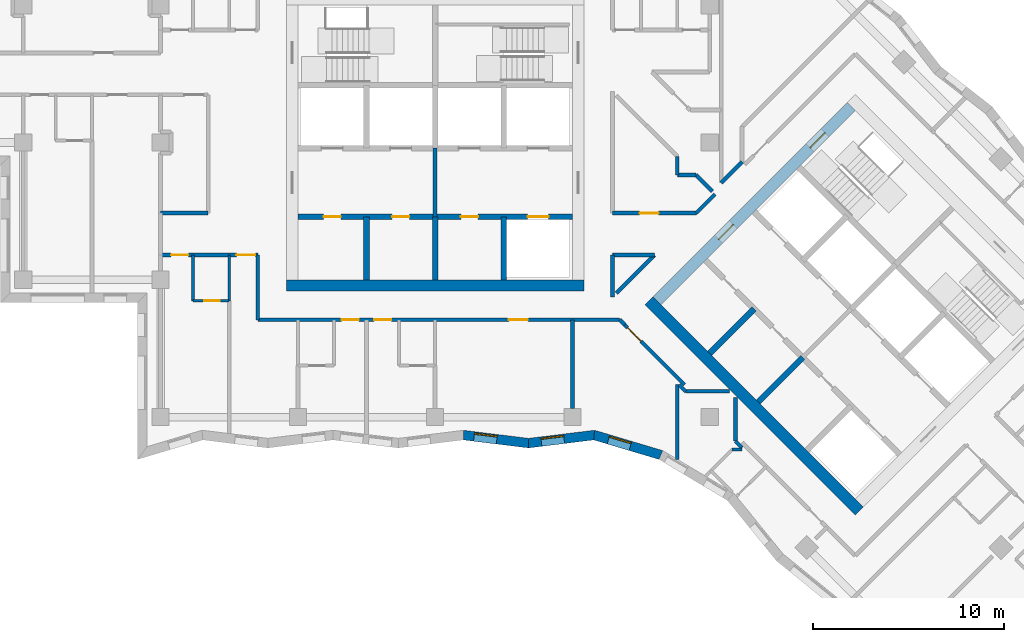
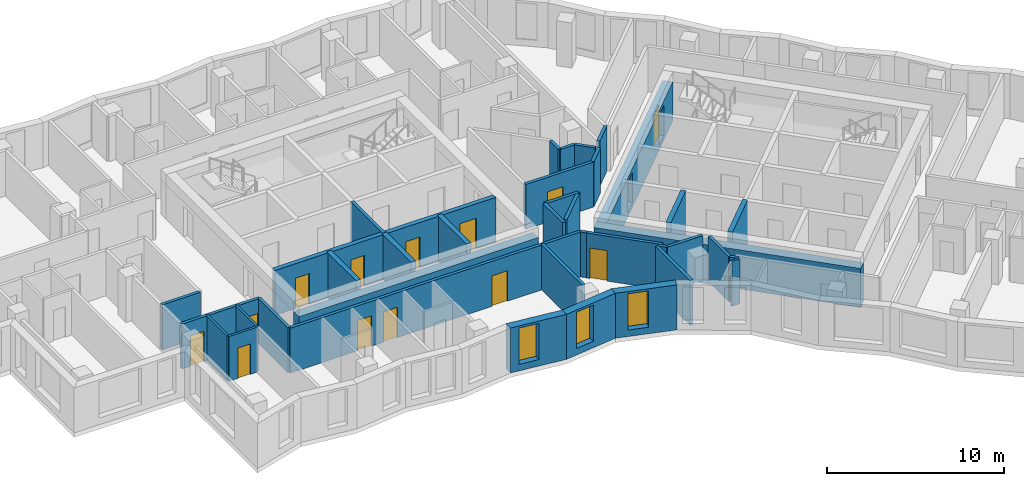
# One storey, part 3 of 12: 38 walls, 14 doors, 3 windows, 17 openings.
"""IFC4 building model written with IfcOpenShell, lengths in metres."""

from ifc_helpers import new_model, si_unit, direction, frame, frame_2d, origin, place, context, subcontext, project, spatial, polyline, rectangle, outline, extrude, material, layer, layer_set, type_object, element, fill, save


model = new_model("IFC4")

# Units and contexts
model_context = context("Model", 3, precision=1e-05, world=origin(), true_north=direction((0.0, 1.0)))
body_context = subcontext(model_context, "Body", "Model", "MODEL_VIEW")
ifc_project = project(units=[si_unit("LENGTHUNIT", "METRE"), si_unit("AREAUNIT", "SQUARE_METRE"), si_unit("VOLUMEUNIT", "CUBIC_METRE"), si_unit("PLANEANGLEUNIT", "RADIAN"), si_unit("MASSUNIT", "GRAM", prefix="KILO")], contexts=[model_context])

# Site, building, storey
site_placement = place(None, origin())
site = spatial("IfcSite", under=ifc_project, at=site_placement, CompositionType="ELEMENT")
building_placement = place(site_placement, origin())
building = spatial("IfcBuilding", under=site, at=building_placement, Name="Windrow Commons", CompositionType="ELEMENT")
storey_placement = place(building_placement, frame((0.0, 0.0, 149.0)))
storey = spatial("IfcBuildingStorey", under=building, at=storey_placement, Name="L40", CompositionType="ELEMENT", Elevation=149.0)

# Wall, opening, window
ifc_material_1 = material(Name="Brick masonry, red clay brick", Category="masonry")
ifc_layer_1 = layer(ifc_material_1, 0.5)
ifc_layer_set_1 = layer_set([ifc_layer_1], Name="Brick facade wall 500")
wall_type_1 = type_object("IfcWallType", Name="Brick facade wall 500", PredefinedType="SOLIDWALL", material=ifc_layer_set_1)
wall_1_placement = place(storey_placement, frame((66.2831, 42.2519, 0.0), z_axis=(0.0, 0.0, 1.0), x_axis=(0.9924935537, -0.1222969578, 0.0)))
wall_1 = element("IfcWall", 1, at=wall_1_placement, inside=storey, type_object=wall_type_1, Name="Brick facade wall L40 47", PredefinedType="SOLIDWALL", context=body_context, shape_type="SweptSolid", body=[
    extrude(outline(polyline([(0.0308, -0.25), (3.4733, -0.25), (3.4117, 0.25), (-0.0308, 0.25), (0.0308, -0.25)])), origin(), (0.0, 0.0, 1.0), 3.1),
])
opening_1_placement = place(wall_1_placement, frame((0.5664, 0.0, 0.45)))
opening_1 = element("IfcOpeningElement", 2, at=opening_1_placement, cuts=wall_1, Name="Opening W7E", PredefinedType="OPENING", context=body_context, shape_type="SweptSolid", body=[
    extrude(rectangle(XDim=1.2, YDim=2.5, at=frame_2d((0.6, 1.25))), frame((0.0, 0.26, 0.0), z_axis=(0.0, -1.0, 0.0), x_axis=(1.0, 0.0, 0.0)), (0.0, 0.0, 1.0), 0.52),
])
ifc_material_2 = material(Name="Clear float glass in anodised aluminium frame", Category="aluminium")
window_type = type_object("IfcWindowType", Name="Window W7 notch 1200x2500", PartitioningType="SINGLE_PANEL", PredefinedType="WINDOW", material=ifc_material_2)
window_1_placement = place(opening_1_placement, origin())
window_1 = element("IfcWindow", 3, at=window_1_placement, inside=storey, type_object=window_type, Name="Window L40 47.1", OverallHeight=2.5, OverallWidth=1.2, PartitioningType="SINGLE_PANEL", PredefinedType="WINDOW", context=body_context, shape_type="SweptSolid", body=[
    extrude(rectangle(XDim=1.2, YDim=2.5, at=frame_2d((0.6, 1.25))), frame((0.0, 0.18, 0.0), z_axis=(0.0, -1.0, 0.0), x_axis=(1.0, 0.0, 0.0)), (0.0, 0.0, 1.0), 0.06),
])
fill(opening_1, window_1)

wall_2_placement = place(storey_placement, frame((69.6997, 41.8309, 0.0), z_axis=(0.0, 0.0, 1.0), x_axis=(0.99249528, 0.1222829472, 0.0)))
wall_2 = element("IfcWall", 4, at=wall_2_placement, inside=storey, type_object=wall_type_1, Name="Brick facade wall L40 48", PredefinedType="SOLIDWALL", context=body_context, shape_type="SweptSolid", body=[
    extrude(outline(polyline([(-0.0308, -0.25), (3.4117, -0.25), (3.5164, 0.25), (0.0308, 0.25), (-0.0308, -0.25)])), origin(), (0.0, 0.0, 1.0), 3.1),
])
opening_2_placement = place(wall_2_placement, frame((0.6742, 0.0, 0.45)))
opening_2 = element("IfcOpeningElement", 5, at=opening_2_placement, cuts=wall_2, Name="Opening W7E", PredefinedType="OPENING", context=body_context, shape_type="SweptSolid", body=[
    extrude(rectangle(XDim=1.2, YDim=2.5, at=frame_2d((0.6, 1.25))), frame((0.0, 0.26, 0.0), z_axis=(0.0, -1.0, 0.0), x_axis=(1.0, 0.0, 0.0)), (0.0, 0.0, 1.0), 0.52),
])
window_2_placement = place(opening_2_placement, origin())
window_2 = element("IfcWindow", 6, at=window_2_placement, inside=storey, type_object=window_type, Name="Window L40 48.1", OverallHeight=2.5, OverallWidth=1.2, PartitioningType="SINGLE_PANEL", PredefinedType="WINDOW", context=body_context, shape_type="SweptSolid", body=[
    extrude(rectangle(XDim=1.2, YDim=2.5, at=frame_2d((0.6, 1.25))), frame((0.0, 0.18, 0.0), z_axis=(0.0, -1.0, 0.0), x_axis=(1.0, 0.0, 0.0)), (0.0, 0.0, 1.0), 0.06),
])
fill(opening_2, window_2)

wall_3_placement = place(storey_placement, frame((73.1378, 42.2545, 0.0), z_axis=(0.0, 0.0, 1.0), x_axis=(0.9581356877, -0.2863145194, 0.0)))
wall_3 = element("IfcWall", 7, at=wall_3_placement, inside=storey, type_object=wall_type_1, Name="Brick facade wall L40 49", PredefinedType="SOLIDWALL", context=body_context, shape_type="SweptSolid", body=[
    extrude(outline(polyline([(0.0524, -0.25), (3.6183, -0.25), (3.6807, 0.25), (-0.0524, 0.25), (0.0524, -0.25)])), origin(), (0.0, 0.0, 1.0), 3.1),
])
opening_3_placement = place(wall_3_placement, frame((0.7849, 0.0, 0.45)))
opening_3 = element("IfcOpeningElement", 8, at=opening_3_placement, cuts=wall_3, Name="Opening W7E", PredefinedType="OPENING", context=body_context, shape_type="SweptSolid", body=[
    extrude(rectangle(XDim=1.2, YDim=2.5, at=frame_2d((0.6, 1.25))), frame((0.0, 0.26, 0.0), z_axis=(0.0, -1.0, 0.0), x_axis=(1.0, 0.0, 0.0)), (0.0, 0.0, 1.0), 0.52),
])
window_3_placement = place(opening_3_placement, origin())
window_3 = element("IfcWindow", 9, at=window_3_placement, inside=storey, type_object=window_type, Name="Window L40 49.1", OverallHeight=2.5, OverallWidth=1.2, PartitioningType="SINGLE_PANEL", PredefinedType="WINDOW", context=body_context, shape_type="SweptSolid", body=[
    extrude(rectangle(XDim=1.2, YDim=2.5, at=frame_2d((0.6, 1.25))), frame((0.0, 0.18, 0.0), z_axis=(0.0, -1.0, 0.0), x_axis=(1.0, 0.0, 0.0)), (0.0, 0.0, 1.0), 0.06),
])
fill(opening_3, window_3)

# Wall
ifc_material_3 = material(Name="Blockwork partition", Category="masonry")
ifc_layer_2 = layer(ifc_material_3, 0.2)
ifc_layer_set_2 = layer_set([ifc_layer_2], Name="Fire lobby partition 200")
wall_type_2 = type_object("IfcWallType", Name="Fire lobby partition 200", PredefinedType="PARTITIONING", material=ifc_layer_set_2)
wall_4_placement = place(storey_placement, frame((64.8, 53.7, 0.0), z_axis=(0.0, 0.0, 1.0), x_axis=(0.0, 1.0, 0.0)))
element("IfcWall", 10, at=wall_4_placement, inside=storey, type_object=wall_type_2, Name="W-core-lobby-A-L40", PredefinedType="PARTITIONING", context=body_context, shape_type="SweptSolid", body=[
    extrude(rectangle(XDim=3.6, YDim=0.2, at=frame_2d((1.8, 0.0))), origin(), (0.0, 0.0, 1.0), 3.1),
])

# Wall, openings, doors
ifc_material_4 = material(Name="Blockwork partition", Category="masonry")
ifc_layer_3 = layer(ifc_material_4, 0.2)
ifc_layer_set_3 = layer_set([ifc_layer_3], Name="IW-CORRIDOR-200")
wall_type_3 = type_object("IfcWallType", Name="IW-CORRIDOR-200", PredefinedType="PARTITIONING", material=ifc_layer_set_3)
wall_5_placement = place(storey_placement, frame((55.5, 48.3, 0.0), z_axis=(0.0, 0.0, 1.0), x_axis=(1.0, 0.0, 0.0)))
wall_5 = element("IfcWall", 11, at=wall_5_placement, inside=storey, type_object=wall_type_3, Name="W-L40-W001", PredefinedType="PARTITIONING", context=body_context, shape_type="SweptSolid", body=[
    extrude(rectangle(XDim=18.974, YDim=0.2, at=frame_2d((9.487, 0.0))), origin(), (0.0, 0.0, 1.0), 3.1),
])
opening_4_placement = place(wall_5_placement, frame((4.4, 0.0, 0.0)))
opening_4 = element("IfcOpeningElement", 12, at=opening_4_placement, cuts=wall_5, Name="Opening D109S", PredefinedType="OPENING", context=body_context, shape_type="SweptSolid", body=[
    extrude(rectangle(XDim=0.9, YDim=2.1, at=frame_2d((0.45, 1.05))), frame((0.0, 0.11, 0.0), z_axis=(0.0, -1.0, 0.0), x_axis=(1.0, 0.0, 0.0)), (0.0, 0.0, 1.0), 0.22),
])
opening_5_placement = place(wall_5_placement, frame((6.1, 0.0, 0.0)))
opening_5 = element("IfcOpeningElement", 13, at=opening_5_placement, cuts=wall_5, Name="Opening D109S", PredefinedType="OPENING", context=body_context, shape_type="SweptSolid", body=[
    extrude(rectangle(XDim=0.9, YDim=2.1, at=frame_2d((0.45, 1.05))), frame((0.0, 0.11, 0.0), z_axis=(0.0, -1.0, 0.0), x_axis=(1.0, 0.0, 0.0)), (0.0, 0.0, 1.0), 0.22),
])
opening_6_placement = place(wall_5_placement, frame((13.1625, 0.0, 0.0)))
opening_6 = element("IfcOpeningElement", 14, at=opening_6_placement, cuts=wall_5, Name="Opening D310F", PredefinedType="OPENING", context=body_context, shape_type="SweptSolid", body=[
    extrude(rectangle(XDim=1.0, YDim=2.1, at=frame_2d((0.5, 1.05))), frame((0.0, 0.11, 0.0), z_axis=(0.0, -1.0, 0.0), x_axis=(1.0, 0.0, 0.0)), (0.0, 0.0, 1.0), 0.22),
])
ifc_material_5 = material(Name="Timber door leaf", Category="wood")
door_type_1 = type_object("IfcDoorType", Name="DT-AMENITY-1000", OperationType="SINGLE_SWING_LEFT", PredefinedType="DOOR", material=ifc_material_5)
door_1_placement = place(opening_6_placement, origin())
door_1 = element("IfcDoor", 15, at=door_1_placement, inside=storey, type_object=door_type_1, Name="D-L40-D037", OperationType="SINGLE_SWING_LEFT", OverallHeight=2.1, OverallWidth=1.0, PredefinedType="DOOR", context=body_context, shape_type="SweptSolid", body=[
    extrude(rectangle(XDim=1.0, YDim=2.1, at=frame_2d((0.5, 1.05))), frame((0.0, 0.025, 0.0), z_axis=(0.0, -1.0, 0.0), x_axis=(1.0, 0.0, 0.0)), (0.0, 0.0, 1.0), 0.05),
])
fill(opening_6, door_1)
ifc_material_6 = material(Name="Timber door leaf", Category="wood")
door_type_2 = type_object("IfcDoorType", Name="DT-BEDROOM-900", OperationType="SINGLE_SWING_LEFT", PredefinedType="DOOR", material=ifc_material_6)
door_2_placement = place(opening_4_placement, origin())
door_2 = element("IfcDoor", 16, at=door_2_placement, inside=storey, type_object=door_type_2, Name="D-L40-D033", OperationType="SINGLE_SWING_LEFT", OverallHeight=2.1, OverallWidth=0.9, PredefinedType="DOOR", context=body_context, shape_type="SweptSolid", body=[
    extrude(rectangle(XDim=0.9, YDim=2.1, at=frame_2d((0.45, 1.05))), frame((0.0, 0.025, 0.0), z_axis=(0.0, -1.0, 0.0), x_axis=(1.0, 0.0, 0.0)), (0.0, 0.0, 1.0), 0.05),
])
fill(opening_4, door_2)
door_3_placement = place(opening_5_placement, origin())
door_3 = element("IfcDoor", 17, at=door_3_placement, inside=storey, type_object=door_type_2, Name="D-L40-D035", OperationType="SINGLE_SWING_RIGHT", OverallHeight=2.1, OverallWidth=0.9, PredefinedType="DOOR", context=body_context, shape_type="SweptSolid", body=[
    extrude(rectangle(XDim=0.9, YDim=2.1, at=frame_2d((0.45, 1.05))), frame((0.0, 0.025, 0.0), z_axis=(0.0, -1.0, 0.0), x_axis=(1.0, 0.0, 0.0)), (0.0, 0.0, 1.0), 0.05),
])
fill(opening_5, door_3)

wall_6_placement = place(storey_placement, frame((50.4, 51.7, 0.0), z_axis=(0.0, 0.0, 1.0), x_axis=(1.0, 0.0, 0.0)))
wall_6 = element("IfcWall", 18, at=wall_6_placement, inside=storey, type_object=wall_type_3, Name="W-L40-W036", PredefinedType="PARTITIONING", context=body_context, shape_type="SweptSolid", body=[
    extrude(rectangle(XDim=5.1, YDim=0.2, at=frame_2d((2.55, 0.0))), origin(), (0.0, 0.0, 1.0), 3.1),
])
opening_7_placement = place(wall_6_placement, frame((0.5517, 0.0, 0.0)))
opening_7 = element("IfcOpeningElement", 19, at=opening_7_placement, cuts=wall_6, Name="Opening D109S", PredefinedType="OPENING", context=body_context, shape_type="SweptSolid", body=[
    extrude(rectangle(XDim=0.9, YDim=2.1, at=frame_2d((0.45, 1.05))), frame((0.0, 0.11, 0.0), z_axis=(0.0, -1.0, 0.0), x_axis=(1.0, 0.0, 0.0)), (0.0, 0.0, 1.0), 0.22),
])
opening_8_placement = place(wall_6_placement, frame((3.976, 0.0, 0.0)))
opening_8 = element("IfcOpeningElement", 20, at=opening_8_placement, cuts=wall_6, Name="Opening D310F", PredefinedType="OPENING", context=body_context, shape_type="SweptSolid", body=[
    extrude(rectangle(XDim=1.0, YDim=2.1, at=frame_2d((0.5, 1.05))), frame((0.0, 0.11, 0.0), z_axis=(0.0, -1.0, 0.0), x_axis=(1.0, 0.0, 0.0)), (0.0, 0.0, 1.0), 0.22),
])
door_4_placement = place(opening_8_placement, origin())
door_4 = element("IfcDoor", 21, at=door_4_placement, inside=storey, type_object=door_type_1, Name="D-L40-D032", OperationType="SINGLE_SWING_RIGHT", OverallHeight=2.1, OverallWidth=1.0, PredefinedType="DOOR", context=body_context, shape_type="SweptSolid", body=[
    extrude(rectangle(XDim=1.0, YDim=2.1, at=frame_2d((0.5, 1.05))), frame((0.0, 0.025, 0.0), z_axis=(0.0, -1.0, 0.0), x_axis=(1.0, 0.0, 0.0)), (0.0, 0.0, 1.0), 0.05),
])
fill(opening_8, door_4)
door_5_placement = place(opening_7_placement, origin())
door_5 = element("IfcDoor", 22, at=door_5_placement, inside=storey, type_object=door_type_2, Name="D-L40-D030", OperationType="SINGLE_SWING_LEFT", OverallHeight=2.1, OverallWidth=0.9, PredefinedType="DOOR", context=body_context, shape_type="SweptSolid", body=[
    extrude(rectangle(XDim=0.9, YDim=2.1, at=frame_2d((0.45, 1.05))), frame((0.0, 0.025, 0.0), z_axis=(0.0, -1.0, 0.0), x_axis=(1.0, 0.0, 0.0)), (0.0, 0.0, 1.0), 0.05),
])
fill(opening_7, door_5)

# Wall, opening, door
wall_7_placement = place(storey_placement, frame((74.7447, 48.0287, 0.0), z_axis=(0.0, 0.0, 1.0), x_axis=(0.7068806156, -0.7073328745, 0.0)))
wall_7 = element("IfcWall", 23, at=wall_7_placement, inside=storey, type_object=wall_type_3, Name="W-L40-W042", PredefinedType="PARTITIONING", context=body_context, shape_type="SweptSolid", body=[
    extrude(rectangle(XDim=4.4222, YDim=0.2, at=frame_2d((2.2111, 0.0))), origin(), (0.0, 0.0, 1.0), 3.1),
])
opening_9_placement = place(wall_7_placement, frame((0.1993, 0.0, 0.0)))
opening_9 = element("IfcOpeningElement", 24, at=opening_9_placement, cuts=wall_7, Name="Opening D310F", PredefinedType="OPENING", context=body_context, shape_type="SweptSolid", body=[
    extrude(rectangle(XDim=1.0, YDim=2.1, at=frame_2d((0.5, 1.05))), frame((0.0, 0.11, 0.0), z_axis=(0.0, -1.0, 0.0), x_axis=(1.0, 0.0, 0.0)), (0.0, 0.0, 1.0), 0.22),
])
door_6_placement = place(opening_9_placement, origin())
door_6 = element("IfcDoor", 25, at=door_6_placement, inside=storey, type_object=door_type_1, Name="D-L40-D038", OperationType="SINGLE_SWING_LEFT", OverallHeight=2.1, OverallWidth=1.0, PredefinedType="DOOR", context=body_context, shape_type="SweptSolid", body=[
    extrude(rectangle(XDim=1.0, YDim=2.1, at=frame_2d((0.5, 1.05))), frame((0.0, 0.025, 0.0), z_axis=(0.0, -1.0, 0.0), x_axis=(1.0, 0.0, 0.0)), (0.0, 0.0, 1.0), 0.05),
])
fill(opening_9, door_6)

wall_8_placement = place(storey_placement, frame((74.102, 53.9, 0.0), z_axis=(0.0, 0.0, 1.0), x_axis=(1.0, 0.0, 0.0)))
wall_8 = element("IfcWall", 26, at=wall_8_placement, inside=storey, type_object=wall_type_3, Name="W-L40-W043", PredefinedType="PARTITIONING", context=body_context, shape_type="SweptSolid", body=[
    extrude(rectangle(XDim=4.392, YDim=0.2, at=frame_2d((2.196, 0.0))), origin(), (0.0, 0.0, 1.0), 3.1),
])
opening_10_placement = place(wall_8_placement, frame((1.4153, 0.0, 0.0)))
opening_10 = element("IfcOpeningElement", 27, at=opening_10_placement, cuts=wall_8, Name="Opening D310F", PredefinedType="OPENING", context=body_context, shape_type="SweptSolid", body=[
    extrude(rectangle(XDim=1.0, YDim=2.1, at=frame_2d((0.5, 1.05))), frame((0.0, 0.11, 0.0), z_axis=(0.0, -1.0, 0.0), x_axis=(1.0, 0.0, 0.0)), (0.0, 0.0, 1.0), 0.22),
])
door_7_placement = place(opening_10_placement, origin())
door_7 = element("IfcDoor", 28, at=door_7_placement, inside=storey, type_object=door_type_1, Name="D-L40-D000", OperationType="SINGLE_SWING_LEFT", OverallHeight=2.1, OverallWidth=1.0, PredefinedType="DOOR", context=body_context, shape_type="SweptSolid", body=[
    extrude(rectangle(XDim=1.0, YDim=2.1, at=frame_2d((0.5, 1.05))), frame((0.0, 0.025, 0.0), z_axis=(0.0, -1.0, 0.0), x_axis=(1.0, 0.0, 0.0)), (0.0, 0.0, 1.0), 0.05),
])
fill(opening_10, door_7)

# Walls
wall_9_placement = place(storey_placement, frame((55.5, 48.3, 0.0), z_axis=(0.0, 0.0, 1.0), x_axis=(0.0, 1.0, 0.0)))
element("IfcWall", 29, at=wall_9_placement, inside=storey, type_object=wall_type_3, Name="W-L40-W049", PredefinedType="PARTITIONING", context=body_context, shape_type="SweptSolid", body=[
    extrude(rectangle(XDim=3.4, YDim=0.2, at=frame_2d((1.7, 0.0))), origin(), (0.0, 0.0, 1.0), 3.1),
])
wall_10_placement = place(storey_placement, frame((74.3024, 49.7036, 0.0), z_axis=(0.0, 0.0, 1.0), x_axis=(0.7074614873, 0.706751897, 0.0)))
element("IfcWall", 30, at=wall_10_placement, inside=storey, type_object=wall_type_3, Name="W-L40-W060", PredefinedType="PARTITIONING", context=body_context, shape_type="SweptSolid", body=[
    extrude(rectangle(XDim=2.8185, YDim=0.2, at=frame_2d((1.4092, 0.0))), origin(), (0.0, 0.0, 1.0), 3.1),
])
wall_11_placement = place(storey_placement, frame((50.4, 53.9, 0.0), z_axis=(0.0, 0.0, 1.0), x_axis=(1.0, 0.0, 0.0)))
element("IfcWall", 31, at=wall_11_placement, inside=storey, type_object=wall_type_3, Name="W-L40-W063", PredefinedType="PARTITIONING", context=body_context, shape_type="SweptSolid", body=[
    extrude(rectangle(XDim=2.5, YDim=0.2, at=frame_2d((1.25, 0.0))), origin(), (0.0, 0.0, 1.0), 3.1),
])
for number, where, z_axis, x_axis, name in (
    (32, (77.942, 44.55, 0.0), (0.0, 0.0, 1.0), (1.0, 0.0, 0.0), "W-L40-W099"),
    (33, (80.55, 41.942, 0.0), (0.0, 0.0, 1.0), (0.0, 1.0, 0.0), "W-L40-W100"),
):
    element("IfcWall", number, at=place(storey_placement, frame(where, z_axis=z_axis, x_axis=x_axis)), inside=storey, type_object=wall_type_3, Name=name, PredefinedType="PARTITIONING", context=body_context, shape_type="SweptSolid", body=[
        extrude(rectangle(XDim=2.29, YDim=0.2, at=frame_2d((1.145, 0.0))), origin(), (0.0, 0.0, 1.0), 3.1),
    ])
wall_12_placement = place(storey_placement, frame((74.1, 49.508, 0.0), z_axis=(0.0, 0.0, 1.0), x_axis=(0.0, 1.0, 0.0)))
element("IfcWall", 34, at=wall_12_placement, inside=storey, type_object=wall_type_3, Name="W-L40-W111", PredefinedType="PARTITIONING", context=body_context, shape_type="SweptSolid", body=[
    extrude(rectangle(XDim=2.192, YDim=0.2, at=frame_2d((1.096, 0.0))), origin(), (0.0, 0.0, 1.0), 3.1),
])
wall_13_placement = place(storey_placement, frame((74.102, 51.7, 0.0), z_axis=(0.0, 0.0, 1.0), x_axis=(1.0, 0.0, 0.0)))
element("IfcWall", 35, at=wall_13_placement, inside=storey, type_object=wall_type_3, Name="W-L40-W112", PredefinedType="PARTITIONING", context=body_context, shape_type="SweptSolid", body=[
    extrude(rectangle(XDim=2.19, YDim=0.2, at=frame_2d((1.095, 0.0))), origin(), (0.0, 0.0, 1.0), 3.1),
])
wall_14_placement = place(storey_placement, frame((79.8012, 55.4908, 0.0), z_axis=(0.0, 0.0, 1.0), x_axis=(0.7071067812, 0.7071067812, 0.0)))
element("IfcWall", 36, at=wall_14_placement, inside=storey, type_object=wall_type_3, Name="W-L40-W145", PredefinedType="PARTITIONING", context=body_context, shape_type="SweptSolid", body=[
    extrude(rectangle(XDim=1.5528, YDim=0.2, at=frame_2d((0.7764, 0.0))), origin(), (0.0, 0.0, 1.0), 3.1),
])
wall_15_placement = place(storey_placement, frame((78.4936, 53.9004, 0.0), z_axis=(0.0, 0.0, 1.0), x_axis=(0.7071067812, 0.7071067812, 0.0)))
element("IfcWall", 37, at=wall_15_placement, inside=storey, type_object=wall_type_3, Name="W-L40-W147", PredefinedType="PARTITIONING", context=body_context, shape_type="SweptSolid", body=[
    extrude(rectangle(XDim=1.3972, YDim=0.2, at=frame_2d((0.6986, 0.0))), origin(), (0.0, 0.0, 1.0), 3.1),
])
wall_16_placement = place(storey_placement, frame((78.4753, 55.9033, 0.0), z_axis=(0.0, 0.0, 1.0), x_axis=(0.7071067812, -0.7071067812, 0.0)))
element("IfcWall", 38, at=wall_16_placement, inside=storey, type_object=wall_type_3, Name="W-L40-W149", PredefinedType="PARTITIONING", context=body_context, shape_type="SweptSolid", body=[
    extrude(rectangle(XDim=1.2304, YDim=0.2, at=frame_2d((0.6152, 0.0))), origin(), (0.0, 0.0, 1.0), 3.1),
])
wall_17_placement = place(storey_placement, frame((77.5, 55.9, 0.0), z_axis=(0.0, 0.0, 1.0), x_axis=(0.0, 1.0, 0.0)))
element("IfcWall", 39, at=wall_17_placement, inside=storey, type_object=wall_type_3, Name="W-L40-W155", PredefinedType="PARTITIONING", context=body_context, shape_type="SweptSolid", body=[
    extrude(rectangle(XDim=0.97, YDim=0.2, at=frame_2d((0.485, 0.0))), origin(), (0.0, 0.0, 1.0), 3.1),
])
wall_18_placement = place(storey_placement, frame((77.502, 55.9, 0.0), z_axis=(0.0, 0.0, 1.0), x_axis=(1.0, 0.0, 0.0)))
element("IfcWall", 40, at=wall_18_placement, inside=storey, type_object=wall_type_3, Name="W-L40-W156", PredefinedType="PARTITIONING", context=body_context, shape_type="SweptSolid", body=[
    extrude(rectangle(XDim=0.968, YDim=0.2, at=frame_2d((0.484, 0.0))), origin(), (0.0, 0.0, 1.0), 3.1),
])
for number, where, z_axis, x_axis, name in (
    (41, (77.5885, 44.8965, 0.0), (0.0, 0.0, 1.0), (0.7071067812, -0.7071067812, 0.0), "W-L40-W172"),
    (42, (80.5465, 41.9385, 0.0), (0.0, 0.0, 1.0), (0.7071067812, -0.7071067812, 0.0), "W-L40-W173"),
):
    element("IfcWall", number, at=place(storey_placement, frame(where, z_axis=z_axis, x_axis=x_axis)), inside=storey, type_object=wall_type_3, Name=name, PredefinedType="PARTITIONING", context=body_context, shape_type="SweptSolid", body=[
        extrude(rectangle(XDim=0.495, YDim=0.2, at=frame_2d((0.2475, 0.0))), origin(), (0.0, 0.0, 1.0), 3.1),
    ])
wall_19_placement = place(storey_placement, frame((74.4772, 48.3032, 0.0), z_axis=(0.0, 0.0, 1.0), x_axis=(0.7097111995, -0.7044927348, 0.0)))
element("IfcWall", 43, at=wall_19_placement, inside=storey, type_object=wall_type_3, Name="W-L40-W174", PredefinedType="PARTITIONING", context=body_context, shape_type="SweptSolid", body=[
    extrude(rectangle(XDim=0.3833, YDim=0.2, at=frame_2d((0.1916, 0.0))), origin(), (0.0, 0.0, 1.0), 3.1),
])
ifc_material_7 = material(Name="Blockwork partition", Category="masonry")
ifc_layer_4 = layer(ifc_material_7, 0.15)
ifc_layer_set_4 = layer_set([ifc_layer_4], Name="IW-ENSUITE-150")
wall_type_4 = type_object("IfcWallType", Name="IW-ENSUITE-150", PredefinedType="PARTITIONING", material=ifc_layer_set_4)
for number, where, z_axis, x_axis, name in (
    (44, (52.1, 49.3, 0.0), (0.0, 0.0, 1.0), (0.0, 1.0, 0.0), "W-L40-W075"),
    (45, (54.0, 49.3, 0.0), (0.0, 0.0, 1.0), (0.0, 1.0, 0.0), "W-L40-W077"),
):
    element("IfcWall", number, at=place(storey_placement, frame(where, z_axis=z_axis, x_axis=x_axis)), inside=storey, type_object=wall_type_4, Name=name, PredefinedType="PARTITIONING", context=body_context, shape_type="SweptSolid", body=[
        extrude(rectangle(XDim=2.4, YDim=0.15, at=frame_2d((1.2, 0.0))), origin(), (0.0, 0.0, 1.0), 3.1),
    ])

# Wall, opening, door
wall_20_placement = place(storey_placement, frame((52.1, 49.3, 0.0), z_axis=(0.0, 0.0, 1.0), x_axis=(1.0, 0.0, 0.0)))
wall_20 = element("IfcWall", 46, at=wall_20_placement, inside=storey, type_object=wall_type_4, Name="W-L40-W128", PredefinedType="PARTITIONING", context=body_context, shape_type="SweptSolid", body=[
    extrude(rectangle(XDim=1.9, YDim=0.15, at=frame_2d((0.95, 0.0))), origin(), (0.0, 0.0, 1.0), 3.1),
])
opening_11_placement = place(wall_20_placement, frame((0.5979, 0.0, 0.0)))
opening_11 = element("IfcOpeningElement", 47, at=opening_11_placement, cuts=wall_20, Name="Opening D208N", PredefinedType="OPENING", context=body_context, shape_type="SweptSolid", body=[
    extrude(rectangle(XDim=0.8, YDim=2.1, at=frame_2d((0.4, 1.05))), frame((0.0, 0.085, 0.0), z_axis=(0.0, -1.0, 0.0), x_axis=(1.0, 0.0, 0.0)), (0.0, 0.0, 1.0), 0.17),
])
ifc_material_8 = material(Name="Timber door leaf", Category="wood")
door_type_3 = type_object("IfcDoorType", Name="DT-ENSUITE-800", OperationType="SINGLE_SWING_LEFT", PredefinedType="DOOR", material=ifc_material_8)
door_8_placement = place(opening_11_placement, origin())
door_8 = element("IfcDoor", 48, at=door_8_placement, inside=storey, type_object=door_type_3, Name="D-L40-D031", OperationType="SINGLE_SWING_RIGHT", OverallHeight=2.1, OverallWidth=0.8, PredefinedType="DOOR", context=body_context, shape_type="SweptSolid", body=[
    extrude(rectangle(XDim=0.8, YDim=2.1, at=frame_2d((0.4, 1.05))), frame((0.0, 0.025, 0.0), z_axis=(0.0, -1.0, 0.0), x_axis=(1.0, 0.0, 0.0)), (0.0, 0.0, 1.0), 0.05),
])
fill(opening_11, door_8)

# Walls
wall_21_placement = place(storey_placement, frame((80.378, 41.5, 0.0), z_axis=(0.0, 0.0, 1.0), x_axis=(1.0, 0.0, 0.0)))
element("IfcWall", 49, at=wall_21_placement, inside=storey, type_object=wall_type_4, Name="W-L40-W171", PredefinedType="PARTITIONING", context=body_context, shape_type="SweptSolid", body=[
    extrude(rectangle(XDim=0.522, YDim=0.15, at=frame_2d((0.261, 0.0))), origin(), (0.0, 0.0, 1.0), 3.1),
])
ifc_material_9 = material(Name="Blockwork partition", Category="masonry")
ifc_layer_5 = layer(ifc_material_9, 0.2)
ifc_layer_set_5 = layer_set([ifc_layer_5], Name="IW-PARTY-200")
wall_type_5 = type_object("IfcWallType", Name="IW-PARTY-200", PredefinedType="PARTITIONING", material=ifc_layer_set_5)
wall_22_placement = place(storey_placement, frame((72.0, 43.65, 0.0), z_axis=(0.0, 0.0, 1.0), x_axis=(0.0, 1.0, 0.0)))
element("IfcWall", 50, at=wall_22_placement, inside=storey, type_object=wall_type_5, Name="W-L40-W041", PredefinedType="PARTITIONING", context=body_context, shape_type="SweptSolid", body=[
    extrude(rectangle(XDim=4.65, YDim=0.2, at=frame_2d((2.325, 0.0))), origin(), (0.0, 0.0, 1.0), 3.1),
])
wall_23_placement = place(storey_placement, frame((77.5, 40.9833, 0.0), z_axis=(0.0, 0.0, 1.0), x_axis=(0.0, 1.0, 0.0)))
element("IfcWall", 51, at=wall_23_placement, inside=storey, type_object=wall_type_5, Name="W-L40-W044", PredefinedType="PARTITIONING", context=body_context, shape_type="SweptSolid", body=[
    extrude(rectangle(XDim=3.9167, YDim=0.2, at=frame_2d((1.9584, 0.0))), origin(), (0.0, 0.0, 1.0), 3.1),
])
ifc_material_10 = material(Name="Concrete C50/60", Category="concrete")
ifc_layer_6 = layer(ifc_material_10, 0.6)
ifc_layer_set_6 = layer_set([ifc_layer_6], Name="RC CORE WALL 600 C50/60")
wall_type_6 = type_object("IfcWallType", Name="RC CORE WALL 600 C50/60", PredefinedType="SHEAR", material=ifc_layer_set_6)
for number, where, z_axis, x_axis, name in (
    (52, (57.0, 50.1, -0.3), (0.0, 0.0, 1.0), (1.0, 0.0, 0.0), "Core A wall outer-S"),
    (53, (76.018, 49.3019, -0.3), (0.0, 0.0, 1.0), (0.7071067812, -0.7071067812, 0.0), "Core B wall outer-S"),
):
    element("IfcWall", number, at=place(storey_placement, frame(where, z_axis=z_axis, x_axis=x_axis)), inside=storey, type_object=wall_type_6, Name=name, PredefinedType="SHEAR", context=body_context, shape_type="SweptSolid", body=[
        extrude(rectangle(XDim=15.6, YDim=0.6, at=frame_2d((7.8, 0.0))), origin(), (0.0, 0.0, 1.0), 2.7),
    ])

# Wall, openings, doors
wall_24_placement = place(storey_placement, frame((76.4423, 49.3019, -0.3), z_axis=(0.0, 0.0, 1.0), x_axis=(0.7071067812, 0.7071067812, 0.0)))
wall_24 = element("IfcWall", 54, at=wall_24_placement, inside=storey, type_object=wall_type_6, Name="Core B wall outer-W", PredefinedType="SHEAR", context=body_context, shape_type="SweptSolid", body=[
    extrude(rectangle(XDim=14.3999, YDim=0.6, at=frame_2d((7.2, 0.0))), origin(), (0.0, 0.0, 1.0), 2.7),
])
opening_12_placement = place(wall_24_placement, frame((4.55, 0.0, 0.3)))
opening_12 = element("IfcOpeningElement", 55, at=opening_12_placement, cuts=wall_24, Name="Opening D6", PredefinedType="OPENING", context=body_context, shape_type="SweptSolid", body=[
    extrude(rectangle(XDim=1.1, YDim=2.1, at=frame_2d((0.55, 1.05))), frame((0.0, 0.31, 0.0), z_axis=(0.0, -1.0, 0.0), x_axis=(1.0, 0.0, 0.0)), (0.0, 0.0, 1.0), 0.62),
])
opening_13_placement = place(wall_24_placement, frame((11.35, 0.0, 0.3)))
opening_13 = element("IfcOpeningElement", 56, at=opening_13_placement, cuts=wall_24, Name="Opening D7", PredefinedType="OPENING", context=body_context, shape_type="SweptSolid", body=[
    extrude(rectangle(XDim=1.1, YDim=2.1, at=frame_2d((0.55, 1.05))), frame((0.0, 0.31, 0.0), z_axis=(0.0, -1.0, 0.0), x_axis=(1.0, 0.0, 0.0)), (0.0, 0.0, 1.0), 0.62),
])
ifc_material_11 = material(Name="Steel fire door leaf", Category="steel")
door_type_4 = type_object("IfcDoorType", Name="Core lobby door 1100", OperationType="SINGLE_SWING_LEFT", PredefinedType="DOOR", material=ifc_material_11)
door_9_placement = place(opening_12_placement, origin())
door_9 = element("IfcDoor", 57, at=door_9_placement, inside=storey, type_object=door_type_4, Name="Lift lobby door", OperationType="DOUBLE_DOOR_SINGLE_SWING", OverallHeight=2.1, OverallWidth=1.1, PredefinedType="DOOR", context=body_context, shape_type="SweptSolid", body=[
    extrude(rectangle(XDim=1.1, YDim=2.1, at=frame_2d((0.55, 1.05))), frame((0.0, 0.025, 0.0), z_axis=(0.0, -1.0, 0.0), x_axis=(1.0, 0.0, 0.0)), (0.0, 0.0, 1.0), 0.05),
])
fill(opening_12, door_9)
ifc_material_12 = material(Name="Steel fire door leaf", Category="steel")
door_type_5 = type_object("IfcDoorType", Name="Stair door 1100", OperationType="SINGLE_SWING_LEFT", PredefinedType="DOOR", material=ifc_material_12)
door_10_placement = place(opening_13_placement, origin())
door_10 = element("IfcDoor", 58, at=door_10_placement, inside=storey, type_object=door_type_5, Name="Stair door", OperationType="SINGLE_SWING_LEFT", OverallHeight=2.1, OverallWidth=1.1, PredefinedType="DOOR", context=body_context, shape_type="SweptSolid", body=[
    extrude(rectangle(XDim=1.1, YDim=2.1, at=frame_2d((0.55, 1.05))), frame((0.0, 0.025, 0.0), z_axis=(0.0, -1.0, 0.0), x_axis=(1.0, 0.0, 0.0)), (0.0, 0.0, 1.0), 0.05),
])
fill(opening_13, door_10)

# Walls
ifc_material_13 = material(Name="Concrete C50/60", Category="concrete")
ifc_layer_7 = layer(ifc_material_13, 0.3)
ifc_layer_set_7 = layer_set([ifc_layer_7], Name="RC SHAFT WALL 300 C50/60")
wall_type_7 = type_object("IfcWallType", Name="RC SHAFT WALL 300 C50/60", PredefinedType="SOLIDWALL", material=ifc_layer_set_7)
for number, where, z_axis, x_axis, name in (
    (59, (61.2, 50.4, 0.0), (0.0, 0.0, 1.0), (0.0, 1.0, 0.0), "Core A wall shaft-S1"),
    (60, (64.8, 50.4, 0.0), (0.0, 0.0, 1.0), (0.0, 1.0, 0.0), "Core A wall shaft-S2"),
    (61, (68.4, 50.4, 0.0), (0.0, 0.0, 1.0), (0.0, 1.0, 0.0), "Core A wall shaft-S3"),
):
    element("IfcWall", number, at=place(storey_placement, frame(where, z_axis=z_axis, x_axis=x_axis)), inside=storey, type_object=wall_type_7, Name=name, PredefinedType="SOLIDWALL", context=body_context, shape_type="SweptSolid", body=[
        extrude(rectangle(XDim=3.3, YDim=0.3, at=frame_2d((1.65, 0.0))), origin(), (0.0, 0.0, 1.0), 3.1),
    ])

# Wall, openings, doors
wall_25_placement = place(storey_placement, frame((57.6, 53.7, 0.0), z_axis=(0.0, 0.0, 1.0), x_axis=(1.0, 0.0, 0.0)))
wall_25 = element("IfcWall", 62, at=wall_25_placement, inside=storey, type_object=wall_type_7, Name="Core A wall lobby-S", PredefinedType="SOLIDWALL", context=body_context, shape_type="SweptSolid", body=[
    extrude(rectangle(XDim=14.4, YDim=0.3, at=frame_2d((7.2, 0.0))), origin(), (0.0, 0.0, 1.0), 3.1),
])
opening_14_placement = place(wall_25_placement, frame((1.35, 0.0, 0.0)))
opening_14 = element("IfcOpeningElement", 63, at=opening_14_placement, cuts=wall_25, Name="Opening D8", PredefinedType="OPENING", context=body_context, shape_type="SweptSolid", body=[
    extrude(rectangle(XDim=0.9, YDim=2.1, at=frame_2d((0.45, 1.05))), frame((0.0, 0.16, 0.0), z_axis=(0.0, -1.0, 0.0), x_axis=(1.0, 0.0, 0.0)), (0.0, 0.0, 1.0), 0.32),
])
opening_15_placement = place(wall_25_placement, frame((4.95, 0.0, 0.0)))
opening_15 = element("IfcOpeningElement", 64, at=opening_15_placement, cuts=wall_25, Name="Opening D8", PredefinedType="OPENING", context=body_context, shape_type="SweptSolid", body=[
    extrude(rectangle(XDim=0.9, YDim=2.1, at=frame_2d((0.45, 1.05))), frame((0.0, 0.16, 0.0), z_axis=(0.0, -1.0, 0.0), x_axis=(1.0, 0.0, 0.0)), (0.0, 0.0, 1.0), 0.32),
])
opening_16_placement = place(wall_25_placement, frame((8.55, 0.0, 0.0)))
opening_16 = element("IfcOpeningElement", 65, at=opening_16_placement, cuts=wall_25, Name="Opening D8", PredefinedType="OPENING", context=body_context, shape_type="SweptSolid", body=[
    extrude(rectangle(XDim=0.9, YDim=2.1, at=frame_2d((0.45, 1.05))), frame((0.0, 0.16, 0.0), z_axis=(0.0, -1.0, 0.0), x_axis=(1.0, 0.0, 0.0)), (0.0, 0.0, 1.0), 0.32),
])
opening_17_placement = place(wall_25_placement, frame((12.05, 0.0, 0.0)))
opening_17 = element("IfcOpeningElement", 66, at=opening_17_placement, cuts=wall_25, Name="Opening LD", PredefinedType="OPENING", context=body_context, shape_type="SweptSolid", body=[
    extrude(rectangle(XDim=1.1, YDim=2.1, at=frame_2d((0.55, 1.05))), frame((0.0, 0.16, 0.0), z_axis=(0.0, -1.0, 0.0), x_axis=(1.0, 0.0, 0.0)), (0.0, 0.0, 1.0), 0.32),
])
ifc_material_14 = material(Name="Steel fire door leaf", Category="steel")
door_type_6 = type_object("IfcDoorType", Name="Core store door 900", OperationType="SINGLE_SWING_LEFT", PredefinedType="DOOR", material=ifc_material_14)
door_11_placement = place(opening_14_placement, origin())
door_11 = element("IfcDoor", 67, at=door_11_placement, inside=storey, type_object=door_type_6, Name="Store door", OperationType="SINGLE_SWING_LEFT", OverallHeight=2.1, OverallWidth=0.9, PredefinedType="DOOR", context=body_context, shape_type="SweptSolid", body=[
    extrude(rectangle(XDim=0.9, YDim=2.1, at=frame_2d((0.45, 1.05))), frame((0.0, 0.025, 0.0), z_axis=(0.0, -1.0, 0.0), x_axis=(1.0, 0.0, 0.0)), (0.0, 0.0, 1.0), 0.05),
])
fill(opening_14, door_11)
door_12_placement = place(opening_15_placement, origin())
door_12 = element("IfcDoor", 68, at=door_12_placement, inside=storey, type_object=door_type_6, Name="Store door", OperationType="SINGLE_SWING_LEFT", OverallHeight=2.1, OverallWidth=0.9, PredefinedType="DOOR", context=body_context, shape_type="SweptSolid", body=[
    extrude(rectangle(XDim=0.9, YDim=2.1, at=frame_2d((0.45, 1.05))), frame((0.0, 0.025, 0.0), z_axis=(0.0, -1.0, 0.0), x_axis=(1.0, 0.0, 0.0)), (0.0, 0.0, 1.0), 0.05),
])
fill(opening_15, door_12)
door_13_placement = place(opening_16_placement, origin())
door_13 = element("IfcDoor", 69, at=door_13_placement, inside=storey, type_object=door_type_6, Name="Store door", OperationType="SINGLE_SWING_LEFT", OverallHeight=2.1, OverallWidth=0.9, PredefinedType="DOOR", context=body_context, shape_type="SweptSolid", body=[
    extrude(rectangle(XDim=0.9, YDim=2.1, at=frame_2d((0.45, 1.05))), frame((0.0, 0.025, 0.0), z_axis=(0.0, -1.0, 0.0), x_axis=(1.0, 0.0, 0.0)), (0.0, 0.0, 1.0), 0.05),
])
fill(opening_16, door_13)
ifc_material_15 = material(Name="Stainless steel door leaf", Category="steel")
door_type_7 = type_object("IfcDoorType", Name="Lift landing door 1100", OperationType="SLIDING_TO_LEFT", PredefinedType="DOOR", material=ifc_material_15)
door_14_placement = place(opening_17_placement, origin())
door_14 = element("IfcDoor", 70, at=door_14_placement, inside=storey, type_object=door_type_7, Name="Lift landing door", OperationType="SLIDING_TO_RIGHT", OverallHeight=2.1, OverallWidth=1.1, PredefinedType="DOOR", context=body_context, shape_type="SweptSolid", body=[
    extrude(rectangle(XDim=1.1, YDim=2.1, at=frame_2d((0.55, 1.05))), frame((0.0, 0.025, 0.0), z_axis=(0.0, -1.0, 0.0), x_axis=(1.0, 0.0, 0.0)), (0.0, 0.0, 1.0), 0.05),
])
fill(opening_17, door_14)

# Walls
wall_26_placement = place(storey_placement, frame((79.2, 46.5442, 0.0), z_axis=(0.0, 0.0, 1.0), x_axis=(0.7071219326, 0.7070916295, 0.0)))
element("IfcWall", 71, at=wall_26_placement, inside=storey, type_object=wall_type_7, Name="Core B wall shaft-S1", PredefinedType="SOLIDWALL", context=body_context, shape_type="SweptSolid", body=[
    extrude(rectangle(XDim=3.3, YDim=0.3, at=frame_2d((1.65, 0.0))), origin(), (0.0, 0.0, 1.0), 3.1),
])
wall_27_placement = place(storey_placement, frame((81.7456, 43.9986, 0.0), z_axis=(0.0, 0.0, 1.0), x_axis=(0.7071067812, 0.7071067812, 0.0)))
element("IfcWall", 72, at=wall_27_placement, inside=storey, type_object=wall_type_7, Name="Core B wall shaft-S2", PredefinedType="SOLIDWALL", context=body_context, shape_type="SweptSolid", body=[
    extrude(rectangle(XDim=3.2999, YDim=0.3, at=frame_2d((1.65, 0.0))), origin(), (0.0, 0.0, 1.0), 3.1),
])

save(model, "model.ifc")
